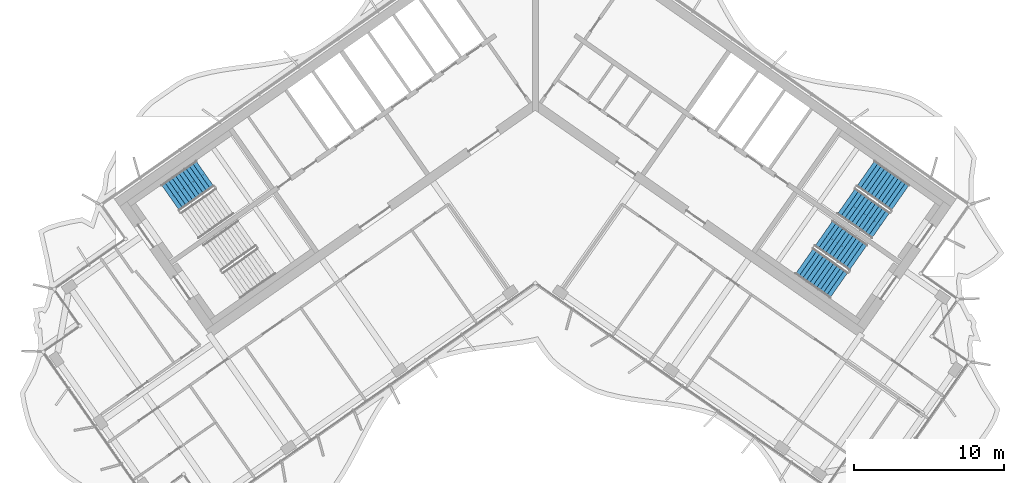
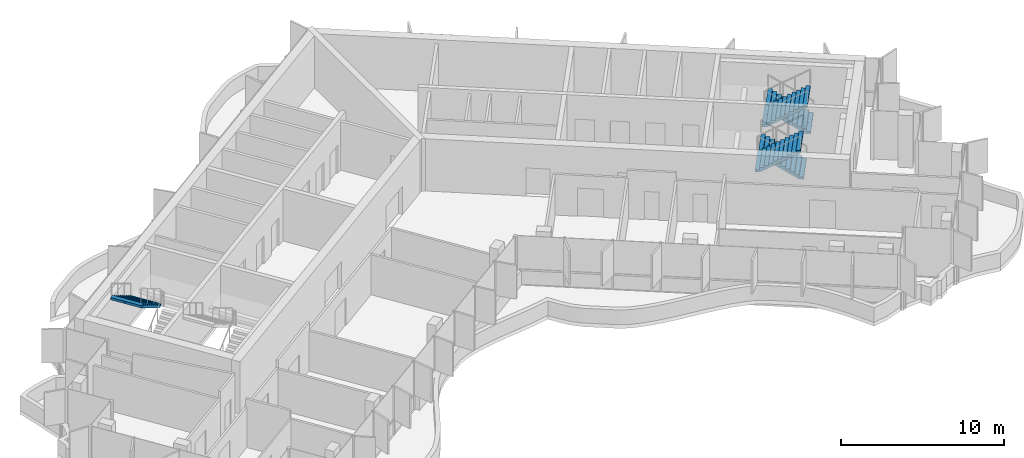
# One storey, part 12 of 17: 5 stair flights, 3 elements without a shape of their own.
"""IFC4 building model written with IfcOpenShell, lengths in metres."""

from ifc_helpers import new_model, si_unit, direction, frame, origin, place, context, subcontext, project, spatial, polyline, outline, extrude, material, type_object, element, aggregate, save


model = new_model("IFC4")

# Units and contexts
model_context = context("Model", 3, precision=1e-05, world=origin(), true_north=direction((0.0, 1.0)))
body_context = subcontext(model_context, "Body", "Model", "MODEL_VIEW")
ifc_project = project(units=[si_unit("LENGTHUNIT", "METRE"), si_unit("AREAUNIT", "SQUARE_METRE"), si_unit("VOLUMEUNIT", "CUBIC_METRE"), si_unit("PLANEANGLEUNIT", "RADIAN"), si_unit("MASSUNIT", "GRAM", prefix="KILO")], contexts=[model_context])

# Site, building, storey
site_placement = place(None, origin())
site = spatial("IfcSite", under=ifc_project, at=site_placement, CompositionType="ELEMENT")
building_placement = place(site_placement, origin())
building = spatial("IfcBuilding", under=site, at=building_placement, Name="Tel Ilan Convention Tower", CompositionType="ELEMENT")
storey_placement = place(building_placement, frame((0.0, 0.0, 280.0)))
storey = spatial("IfcBuildingStorey", under=building, at=storey_placement, Name="L66", CompositionType="ELEMENT", Elevation=280.0)

# Stair, stair flight
ifc_material_1 = material(Name="Concrete C40/50", Category="concrete")
stair_type = type_object("IfcStairType", Name="Pressurised Exit Stair 22 risers 177 mm", PredefinedType="HALF_TURN_STAIR", material=ifc_material_1)
stair_1_placement = place(storey_placement, origin())
stair_1 = element("IfcStair", 1, at=stair_1_placement, inside=storey, type_object=stair_type, Name="L66 Pressurised Stair S1", PredefinedType="HALF_TURN_STAIR")
ifc_material_2 = material(Name="Precast Concrete C40/50", Category="concrete")
stair_flight_type = type_object("IfcStairFlightType", Name="Concrete Stair Flight 2100 mm 22 risers 177 mm", PredefinedType="STRAIGHT", material=ifc_material_2)
stair_flight_1_placement = place(storey_placement, frame((-21.958740234375, -5.42626953125, 1.949951171875), z_axis=(0.0, 0.0, 1.0), x_axis=(-0.819152044289, -0.573576436351, 0.0)))
stair_flight_1 = element("IfcStairFlight", 2, at=stair_flight_1_placement, type_object=stair_flight_type, Name="S1 flight 2", NumberOfRisers=11, NumberOfTreads=10, PredefinedType="STRAIGHT", RiserHeight=0.177272727, TreadLength=0.28, context=body_context, shape_type="SweptSolid", body=[
    extrude(outline(polyline([(0.0, 0.0), (0.0, 0.17724609375), (0.280029296875, 0.17724609375), (0.280029296875, 0.3544921875), (0.56005859375, 0.3544921875), (0.56005859375, 0.53173828125), (0.840087890625, 0.53173828125), (0.840087890625, 0.708984375), (1.1201171875, 0.708984375), (1.1201171875, 0.886474609375), (1.39990234375, 0.886474609375), (1.39990234375, 1.063720703125), (1.679931640625, 1.063720703125), (1.679931640625, 1.240966796875), (1.9599609375, 1.240966796875), (1.9599609375, 1.418212890625), (2.239990234375, 1.418212890625), (2.239990234375, 1.595458984375), (2.52001953125, 1.595458984375), (2.52001953125, 1.772705078125), (2.800048828125, 1.772705078125), (2.800048828125, 1.949951171875), (2.800048828125, 1.59521484375), (0.2802734375, 0.0), (0.0, 0.0)])), frame((0.0, -0.100341796875, 0.0), z_axis=(0.0, -1.0, 0.0), x_axis=(1.0, 0.0, 0.0)), (0.0, 0.0, 1.0), 0.94970703125),
    extrude(outline(polyline([(0.0, 0.0), (0.0, 0.17724609375), (0.280029296875, 0.17724609375), (0.280029296875, 0.3544921875), (0.56005859375, 0.3544921875), (0.56005859375, 0.53173828125), (0.840087890625, 0.53173828125), (0.840087890625, 0.708984375), (1.1201171875, 0.708984375), (1.1201171875, 0.886474609375), (1.39990234375, 0.886474609375), (1.39990234375, 1.063720703125), (1.679931640625, 1.063720703125), (1.679931640625, 1.240966796875), (1.9599609375, 1.240966796875), (1.9599609375, 1.418212890625), (2.239990234375, 1.418212890625), (2.239990234375, 1.595458984375), (2.52001953125, 1.595458984375), (2.52001953125, 1.772705078125), (2.800048828125, 1.772705078125), (2.800048828125, 1.949951171875), (2.800048828125, 1.59521484375), (0.2802734375, 0.0), (0.0, 0.0)])), frame((0.0, -0.000244140625, 0.0), z_axis=(0.0, -1.0, 0.0), x_axis=(1.0, 0.0, 0.0)), (0.0, 0.0, 1.0), 0.099609375),
    extrude(outline(polyline([(0.0, 0.0), (0.0, 0.17724609375), (0.280029296875, 0.17724609375), (0.280029296875, 0.3544921875), (0.56005859375, 0.3544921875), (0.56005859375, 0.53173828125), (0.840087890625, 0.53173828125), (0.840087890625, 0.708984375), (1.1201171875, 0.708984375), (1.1201171875, 0.886474609375), (1.39990234375, 0.886474609375), (1.39990234375, 1.063720703125), (1.679931640625, 1.063720703125), (1.679931640625, 1.240966796875), (1.9599609375, 1.240966796875), (1.9599609375, 1.418212890625), (2.239990234375, 1.418212890625), (2.239990234375, 1.595458984375), (2.52001953125, 1.595458984375), (2.52001953125, 1.772705078125), (2.800048828125, 1.772705078125), (2.800048828125, 1.949951171875), (2.800048828125, 1.59521484375), (0.2802734375, 0.0), (0.0, 0.0)])), frame((0.0, 0.099853515625, 0.0), z_axis=(0.0, -1.0, 0.0), x_axis=(1.0, 0.0, 0.0)), (0.0, 0.0, 1.0), 0.099609375),
    extrude(outline(polyline([(0.0, 0.0), (0.0, 0.17724609375), (0.280029296875, 0.17724609375), (0.280029296875, 0.3544921875), (0.56005859375, 0.3544921875), (0.56005859375, 0.53173828125), (0.840087890625, 0.53173828125), (0.840087890625, 0.708984375), (1.1201171875, 0.708984375), (1.1201171875, 0.886474609375), (1.39990234375, 0.886474609375), (1.39990234375, 1.063720703125), (1.679931640625, 1.063720703125), (1.679931640625, 1.240966796875), (1.9599609375, 1.240966796875), (1.9599609375, 1.418212890625), (2.239990234375, 1.418212890625), (2.239990234375, 1.595458984375), (2.52001953125, 1.595458984375), (2.52001953125, 1.772705078125), (2.800048828125, 1.772705078125), (2.800048828125, 1.949951171875), (2.800048828125, 1.59521484375), (0.2802734375, 0.0), (0.0, 0.0)])), frame((0.0, 1.050048828125, 0.0), z_axis=(0.0, -1.0, 0.0), x_axis=(1.0, 0.0, 0.0)), (0.0, 0.0, 1.0), 0.94970703125),
])
aggregate(stair_1, [stair_flight_1])

# Stair, stair flights
stair_2_placement = place(storey_placement, origin())
stair_2 = element("IfcStair", 3, at=stair_2_placement, inside=storey, type_object=stair_type, Name="L66 Pressurised Stair S3", PredefinedType="HALF_TURN_STAIR")
stair_flight_2_placement = place(storey_placement, frame((24.25244140625, -7.032470703125, 0.0), z_axis=(0.0, 0.0, 1.0), x_axis=(-0.819152044289, 0.573576436351, 0.0)))
stair_flight_2 = element("IfcStairFlight", 4, at=stair_flight_2_placement, type_object=stair_flight_type, Name="S3 flight 1", NumberOfRisers=11, NumberOfTreads=10, PredefinedType="STRAIGHT", RiserHeight=0.177272727, TreadLength=0.28, context=body_context, shape_type="SweptSolid", body=[
    extrude(outline(polyline([(0.0, 0.0), (0.0, 0.17724609375), (0.280029296875, 0.17724609375), (0.280029296875, 0.3544921875), (0.56005859375, 0.3544921875), (0.56005859375, 0.53173828125), (0.840087890625, 0.53173828125), (0.840087890625, 0.708984375), (1.1201171875, 0.708984375), (1.1201171875, 0.886474609375), (1.39990234375, 0.886474609375), (1.39990234375, 1.063720703125), (1.679931640625, 1.063720703125), (1.679931640625, 1.240966796875), (1.9599609375, 1.240966796875), (1.9599609375, 1.418212890625), (2.239990234375, 1.418212890625), (2.239990234375, 1.595458984375), (2.52001953125, 1.595458984375), (2.52001953125, 1.772705078125), (2.800048828125, 1.772705078125), (2.800048828125, 1.949951171875), (2.800048828125, 1.59521484375), (0.2802734375, 0.0), (0.0, 0.0)])), frame((0.0, -0.100341796875, 0.0), z_axis=(0.0, -1.0, 0.0), x_axis=(1.0, 0.0, 0.0)), (0.0, 0.0, 1.0), 0.94970703125),
    extrude(outline(polyline([(0.0, 0.0), (0.0, 0.17724609375), (0.280029296875, 0.17724609375), (0.280029296875, 0.3544921875), (0.56005859375, 0.3544921875), (0.56005859375, 0.53173828125), (0.840087890625, 0.53173828125), (0.840087890625, 0.708984375), (1.1201171875, 0.708984375), (1.1201171875, 0.886474609375), (1.39990234375, 0.886474609375), (1.39990234375, 1.063720703125), (1.679931640625, 1.063720703125), (1.679931640625, 1.240966796875), (1.9599609375, 1.240966796875), (1.9599609375, 1.418212890625), (2.239990234375, 1.418212890625), (2.239990234375, 1.595458984375), (2.52001953125, 1.595458984375), (2.52001953125, 1.772705078125), (2.800048828125, 1.772705078125), (2.800048828125, 1.949951171875), (2.800048828125, 1.59521484375), (0.2802734375, 0.0), (0.0, 0.0)])), frame((0.0, -0.000244140625, 0.0), z_axis=(0.0, -1.0, 0.0), x_axis=(1.0, 0.0, 0.0)), (0.0, 0.0, 1.0), 0.099609375),
    extrude(outline(polyline([(0.0, 0.0), (0.0, 0.17724609375), (0.280029296875, 0.17724609375), (0.280029296875, 0.3544921875), (0.56005859375, 0.3544921875), (0.56005859375, 0.53173828125), (0.840087890625, 0.53173828125), (0.840087890625, 0.708984375), (1.1201171875, 0.708984375), (1.1201171875, 0.886474609375), (1.39990234375, 0.886474609375), (1.39990234375, 1.063720703125), (1.679931640625, 1.063720703125), (1.679931640625, 1.240966796875), (1.9599609375, 1.240966796875), (1.9599609375, 1.418212890625), (2.239990234375, 1.418212890625), (2.239990234375, 1.595458984375), (2.52001953125, 1.595458984375), (2.52001953125, 1.772705078125), (2.800048828125, 1.772705078125), (2.800048828125, 1.949951171875), (2.800048828125, 1.59521484375), (0.2802734375, 0.0), (0.0, 0.0)])), frame((0.0, 0.099853515625, 0.0), z_axis=(0.0, -1.0, 0.0), x_axis=(1.0, 0.0, 0.0)), (0.0, 0.0, 1.0), 0.099609375),
    extrude(outline(polyline([(0.0, 0.0), (0.0, 0.17724609375), (0.280029296875, 0.17724609375), (0.280029296875, 0.3544921875), (0.56005859375, 0.3544921875), (0.56005859375, 0.53173828125), (0.840087890625, 0.53173828125), (0.840087890625, 0.708984375), (1.1201171875, 0.708984375), (1.1201171875, 0.886474609375), (1.39990234375, 0.886474609375), (1.39990234375, 1.063720703125), (1.679931640625, 1.063720703125), (1.679931640625, 1.240966796875), (1.9599609375, 1.240966796875), (1.9599609375, 1.418212890625), (2.239990234375, 1.418212890625), (2.239990234375, 1.595458984375), (2.52001953125, 1.595458984375), (2.52001953125, 1.772705078125), (2.800048828125, 1.772705078125), (2.800048828125, 1.949951171875), (2.800048828125, 1.59521484375), (0.2802734375, 0.0), (0.0, 0.0)])), frame((0.0, 1.050048828125, 0.0), z_axis=(0.0, -1.0, 0.0), x_axis=(1.0, 0.0, 0.0)), (0.0, 0.0, 1.0), 0.94970703125),
])
stair_flight_3_placement = place(storey_placement, frame((20.668212890625, -7.26953125, 1.949951171875), z_axis=(0.0, 0.0, 1.0), x_axis=(0.819152044289, -0.573576436351, 0.0)))
stair_flight_3 = element("IfcStairFlight", 5, at=stair_flight_3_placement, type_object=stair_flight_type, Name="S3 flight 2", NumberOfRisers=11, NumberOfTreads=10, PredefinedType="STRAIGHT", RiserHeight=0.177272727, TreadLength=0.28, context=body_context, shape_type="SweptSolid", body=[
    extrude(outline(polyline([(0.0, 0.0), (0.0, 0.17724609375), (0.280029296875, 0.17724609375), (0.280029296875, 0.3544921875), (0.56005859375, 0.3544921875), (0.56005859375, 0.53173828125), (0.840087890625, 0.53173828125), (0.840087890625, 0.708984375), (1.1201171875, 0.708984375), (1.1201171875, 0.886474609375), (1.39990234375, 0.886474609375), (1.39990234375, 1.063720703125), (1.679931640625, 1.063720703125), (1.679931640625, 1.240966796875), (1.9599609375, 1.240966796875), (1.9599609375, 1.418212890625), (2.239990234375, 1.418212890625), (2.239990234375, 1.595458984375), (2.52001953125, 1.595458984375), (2.52001953125, 1.772705078125), (2.800048828125, 1.772705078125), (2.800048828125, 1.949951171875), (2.800048828125, 1.59521484375), (0.2802734375, 0.0), (0.0, 0.0)])), frame((0.0, -0.100341796875, 0.0), z_axis=(0.0, -1.0, 0.0), x_axis=(1.0, 0.0, 0.0)), (0.0, 0.0, 1.0), 0.94970703125),
    extrude(outline(polyline([(0.0, 0.0), (0.0, 0.17724609375), (0.280029296875, 0.17724609375), (0.280029296875, 0.3544921875), (0.56005859375, 0.3544921875), (0.56005859375, 0.53173828125), (0.840087890625, 0.53173828125), (0.840087890625, 0.708984375), (1.1201171875, 0.708984375), (1.1201171875, 0.886474609375), (1.39990234375, 0.886474609375), (1.39990234375, 1.063720703125), (1.679931640625, 1.063720703125), (1.679931640625, 1.240966796875), (1.9599609375, 1.240966796875), (1.9599609375, 1.418212890625), (2.239990234375, 1.418212890625), (2.239990234375, 1.595458984375), (2.52001953125, 1.595458984375), (2.52001953125, 1.772705078125), (2.800048828125, 1.772705078125), (2.800048828125, 1.949951171875), (2.800048828125, 1.59521484375), (0.2802734375, 0.0), (0.0, 0.0)])), frame((0.0, -0.000244140625, 0.0), z_axis=(0.0, -1.0, 0.0), x_axis=(1.0, 0.0, 0.0)), (0.0, 0.0, 1.0), 0.099609375),
    extrude(outline(polyline([(0.0, 0.0), (0.0, 0.17724609375), (0.280029296875, 0.17724609375), (0.280029296875, 0.3544921875), (0.56005859375, 0.3544921875), (0.56005859375, 0.53173828125), (0.840087890625, 0.53173828125), (0.840087890625, 0.708984375), (1.1201171875, 0.708984375), (1.1201171875, 0.886474609375), (1.39990234375, 0.886474609375), (1.39990234375, 1.063720703125), (1.679931640625, 1.063720703125), (1.679931640625, 1.240966796875), (1.9599609375, 1.240966796875), (1.9599609375, 1.418212890625), (2.239990234375, 1.418212890625), (2.239990234375, 1.595458984375), (2.52001953125, 1.595458984375), (2.52001953125, 1.772705078125), (2.800048828125, 1.772705078125), (2.800048828125, 1.949951171875), (2.800048828125, 1.59521484375), (0.2802734375, 0.0), (0.0, 0.0)])), frame((0.0, 0.099853515625, 0.0), z_axis=(0.0, -1.0, 0.0), x_axis=(1.0, 0.0, 0.0)), (0.0, 0.0, 1.0), 0.099609375),
    extrude(outline(polyline([(0.0, 0.0), (0.0, 0.17724609375), (0.280029296875, 0.17724609375), (0.280029296875, 0.3544921875), (0.56005859375, 0.3544921875), (0.56005859375, 0.53173828125), (0.840087890625, 0.53173828125), (0.840087890625, 0.708984375), (1.1201171875, 0.708984375), (1.1201171875, 0.886474609375), (1.39990234375, 0.886474609375), (1.39990234375, 1.063720703125), (1.679931640625, 1.063720703125), (1.679931640625, 1.240966796875), (1.9599609375, 1.240966796875), (1.9599609375, 1.418212890625), (2.239990234375, 1.418212890625), (2.239990234375, 1.595458984375), (2.52001953125, 1.595458984375), (2.52001953125, 1.772705078125), (2.800048828125, 1.772705078125), (2.800048828125, 1.949951171875), (2.800048828125, 1.59521484375), (0.2802734375, 0.0), (0.0, 0.0)])), frame((0.0, 1.050048828125, 0.0), z_axis=(0.0, -1.0, 0.0), x_axis=(1.0, 0.0, 0.0)), (0.0, 0.0, 1.0), 0.94970703125),
])
aggregate(stair_2, [stair_flight_2, stair_flight_3])

stair_3_placement = place(storey_placement, origin())
stair_3 = element("IfcStair", 6, at=stair_3_placement, inside=storey, type_object=stair_type, Name="L66 Pressurised Stair S4", PredefinedType="HALF_TURN_STAIR")
stair_flight_4_placement = place(storey_placement, frame((21.470458984375, -11.00537109375, 0.0), z_axis=(0.0, 0.0, 1.0), x_axis=(-0.819152044289, 0.573576436351, 0.0)))
stair_flight_4 = element("IfcStairFlight", 7, at=stair_flight_4_placement, type_object=stair_flight_type, Name="S4 flight 1", NumberOfRisers=11, NumberOfTreads=10, PredefinedType="STRAIGHT", RiserHeight=0.177272727, TreadLength=0.28, context=body_context, shape_type="SweptSolid", body=[
    extrude(outline(polyline([(0.0, 0.0), (0.0, 0.17724609375), (0.280029296875, 0.17724609375), (0.280029296875, 0.3544921875), (0.56005859375, 0.3544921875), (0.56005859375, 0.53173828125), (0.840087890625, 0.53173828125), (0.840087890625, 0.708984375), (1.1201171875, 0.708984375), (1.1201171875, 0.886474609375), (1.39990234375, 0.886474609375), (1.39990234375, 1.063720703125), (1.679931640625, 1.063720703125), (1.679931640625, 1.240966796875), (1.9599609375, 1.240966796875), (1.9599609375, 1.418212890625), (2.239990234375, 1.418212890625), (2.239990234375, 1.595458984375), (2.52001953125, 1.595458984375), (2.52001953125, 1.772705078125), (2.800048828125, 1.772705078125), (2.800048828125, 1.949951171875), (2.800048828125, 1.59521484375), (0.2802734375, 0.0), (0.0, 0.0)])), frame((0.0, -0.100341796875, 0.0), z_axis=(0.0, -1.0, 0.0), x_axis=(1.0, 0.0, 0.0)), (0.0, 0.0, 1.0), 0.94970703125),
    extrude(outline(polyline([(0.0, 0.0), (0.0, 0.17724609375), (0.280029296875, 0.17724609375), (0.280029296875, 0.3544921875), (0.56005859375, 0.3544921875), (0.56005859375, 0.53173828125), (0.840087890625, 0.53173828125), (0.840087890625, 0.708984375), (1.1201171875, 0.708984375), (1.1201171875, 0.886474609375), (1.39990234375, 0.886474609375), (1.39990234375, 1.063720703125), (1.679931640625, 1.063720703125), (1.679931640625, 1.240966796875), (1.9599609375, 1.240966796875), (1.9599609375, 1.418212890625), (2.239990234375, 1.418212890625), (2.239990234375, 1.595458984375), (2.52001953125, 1.595458984375), (2.52001953125, 1.772705078125), (2.800048828125, 1.772705078125), (2.800048828125, 1.949951171875), (2.800048828125, 1.59521484375), (0.2802734375, 0.0), (0.0, 0.0)])), frame((0.0, -0.000244140625, 0.0), z_axis=(0.0, -1.0, 0.0), x_axis=(1.0, 0.0, 0.0)), (0.0, 0.0, 1.0), 0.099609375),
    extrude(outline(polyline([(0.0, 0.0), (0.0, 0.17724609375), (0.280029296875, 0.17724609375), (0.280029296875, 0.3544921875), (0.56005859375, 0.3544921875), (0.56005859375, 0.53173828125), (0.840087890625, 0.53173828125), (0.840087890625, 0.708984375), (1.1201171875, 0.708984375), (1.1201171875, 0.886474609375), (1.39990234375, 0.886474609375), (1.39990234375, 1.063720703125), (1.679931640625, 1.063720703125), (1.679931640625, 1.240966796875), (1.9599609375, 1.240966796875), (1.9599609375, 1.418212890625), (2.239990234375, 1.418212890625), (2.239990234375, 1.595458984375), (2.52001953125, 1.595458984375), (2.52001953125, 1.772705078125), (2.800048828125, 1.772705078125), (2.800048828125, 1.949951171875), (2.800048828125, 1.59521484375), (0.2802734375, 0.0), (0.0, 0.0)])), frame((0.0, 0.099853515625, 0.0), z_axis=(0.0, -1.0, 0.0), x_axis=(1.0, 0.0, 0.0)), (0.0, 0.0, 1.0), 0.099609375),
    extrude(outline(polyline([(0.0, 0.0), (0.0, 0.17724609375), (0.280029296875, 0.17724609375), (0.280029296875, 0.3544921875), (0.56005859375, 0.3544921875), (0.56005859375, 0.53173828125), (0.840087890625, 0.53173828125), (0.840087890625, 0.708984375), (1.1201171875, 0.708984375), (1.1201171875, 0.886474609375), (1.39990234375, 0.886474609375), (1.39990234375, 1.063720703125), (1.679931640625, 1.063720703125), (1.679931640625, 1.240966796875), (1.9599609375, 1.240966796875), (1.9599609375, 1.418212890625), (2.239990234375, 1.418212890625), (2.239990234375, 1.595458984375), (2.52001953125, 1.595458984375), (2.52001953125, 1.772705078125), (2.800048828125, 1.772705078125), (2.800048828125, 1.949951171875), (2.800048828125, 1.59521484375), (0.2802734375, 0.0), (0.0, 0.0)])), frame((0.0, 1.050048828125, 0.0), z_axis=(0.0, -1.0, 0.0), x_axis=(1.0, 0.0, 0.0)), (0.0, 0.0, 1.0), 0.94970703125),
])
stair_flight_5_placement = place(storey_placement, frame((17.886474609375, -11.242431640625, 1.949951171875), z_axis=(0.0, 0.0, 1.0), x_axis=(0.819152044289, -0.573576436351, 0.0)))
stair_flight_5 = element("IfcStairFlight", 8, at=stair_flight_5_placement, type_object=stair_flight_type, Name="S4 flight 2", NumberOfRisers=11, NumberOfTreads=10, PredefinedType="STRAIGHT", RiserHeight=0.177272727, TreadLength=0.28, context=body_context, shape_type="SweptSolid", body=[
    extrude(outline(polyline([(0.0, 0.0), (0.0, 0.17724609375), (0.280029296875, 0.17724609375), (0.280029296875, 0.3544921875), (0.56005859375, 0.3544921875), (0.56005859375, 0.53173828125), (0.840087890625, 0.53173828125), (0.840087890625, 0.708984375), (1.1201171875, 0.708984375), (1.1201171875, 0.886474609375), (1.39990234375, 0.886474609375), (1.39990234375, 1.063720703125), (1.679931640625, 1.063720703125), (1.679931640625, 1.240966796875), (1.9599609375, 1.240966796875), (1.9599609375, 1.418212890625), (2.239990234375, 1.418212890625), (2.239990234375, 1.595458984375), (2.52001953125, 1.595458984375), (2.52001953125, 1.772705078125), (2.800048828125, 1.772705078125), (2.800048828125, 1.949951171875), (2.800048828125, 1.59521484375), (0.2802734375, 0.0), (0.0, 0.0)])), frame((0.0, -0.100341796875, 0.0), z_axis=(0.0, -1.0, 0.0), x_axis=(1.0, 0.0, 0.0)), (0.0, 0.0, 1.0), 0.94970703125),
    extrude(outline(polyline([(0.0, 0.0), (0.0, 0.17724609375), (0.280029296875, 0.17724609375), (0.280029296875, 0.3544921875), (0.56005859375, 0.3544921875), (0.56005859375, 0.53173828125), (0.840087890625, 0.53173828125), (0.840087890625, 0.708984375), (1.1201171875, 0.708984375), (1.1201171875, 0.886474609375), (1.39990234375, 0.886474609375), (1.39990234375, 1.063720703125), (1.679931640625, 1.063720703125), (1.679931640625, 1.240966796875), (1.9599609375, 1.240966796875), (1.9599609375, 1.418212890625), (2.239990234375, 1.418212890625), (2.239990234375, 1.595458984375), (2.52001953125, 1.595458984375), (2.52001953125, 1.772705078125), (2.800048828125, 1.772705078125), (2.800048828125, 1.949951171875), (2.800048828125, 1.59521484375), (0.2802734375, 0.0), (0.0, 0.0)])), frame((0.0, -0.000244140625, 0.0), z_axis=(0.0, -1.0, 0.0), x_axis=(1.0, 0.0, 0.0)), (0.0, 0.0, 1.0), 0.099609375),
    extrude(outline(polyline([(0.0, 0.0), (0.0, 0.17724609375), (0.280029296875, 0.17724609375), (0.280029296875, 0.3544921875), (0.56005859375, 0.3544921875), (0.56005859375, 0.53173828125), (0.840087890625, 0.53173828125), (0.840087890625, 0.708984375), (1.1201171875, 0.708984375), (1.1201171875, 0.886474609375), (1.39990234375, 0.886474609375), (1.39990234375, 1.063720703125), (1.679931640625, 1.063720703125), (1.679931640625, 1.240966796875), (1.9599609375, 1.240966796875), (1.9599609375, 1.418212890625), (2.239990234375, 1.418212890625), (2.239990234375, 1.595458984375), (2.52001953125, 1.595458984375), (2.52001953125, 1.772705078125), (2.800048828125, 1.772705078125), (2.800048828125, 1.949951171875), (2.800048828125, 1.59521484375), (0.2802734375, 0.0), (0.0, 0.0)])), frame((0.0, 0.099853515625, 0.0), z_axis=(0.0, -1.0, 0.0), x_axis=(1.0, 0.0, 0.0)), (0.0, 0.0, 1.0), 0.099609375),
    extrude(outline(polyline([(0.0, 0.0), (0.0, 0.17724609375), (0.280029296875, 0.17724609375), (0.280029296875, 0.3544921875), (0.56005859375, 0.3544921875), (0.56005859375, 0.53173828125), (0.840087890625, 0.53173828125), (0.840087890625, 0.708984375), (1.1201171875, 0.708984375), (1.1201171875, 0.886474609375), (1.39990234375, 0.886474609375), (1.39990234375, 1.063720703125), (1.679931640625, 1.063720703125), (1.679931640625, 1.240966796875), (1.9599609375, 1.240966796875), (1.9599609375, 1.418212890625), (2.239990234375, 1.418212890625), (2.239990234375, 1.595458984375), (2.52001953125, 1.595458984375), (2.52001953125, 1.772705078125), (2.800048828125, 1.772705078125), (2.800048828125, 1.949951171875), (2.800048828125, 1.59521484375), (0.2802734375, 0.0), (0.0, 0.0)])), frame((0.0, 1.050048828125, 0.0), z_axis=(0.0, -1.0, 0.0), x_axis=(1.0, 0.0, 0.0)), (0.0, 0.0, 1.0), 0.94970703125),
])
aggregate(stair_3, [stair_flight_4, stair_flight_5])

save(model, "model.ifc")
